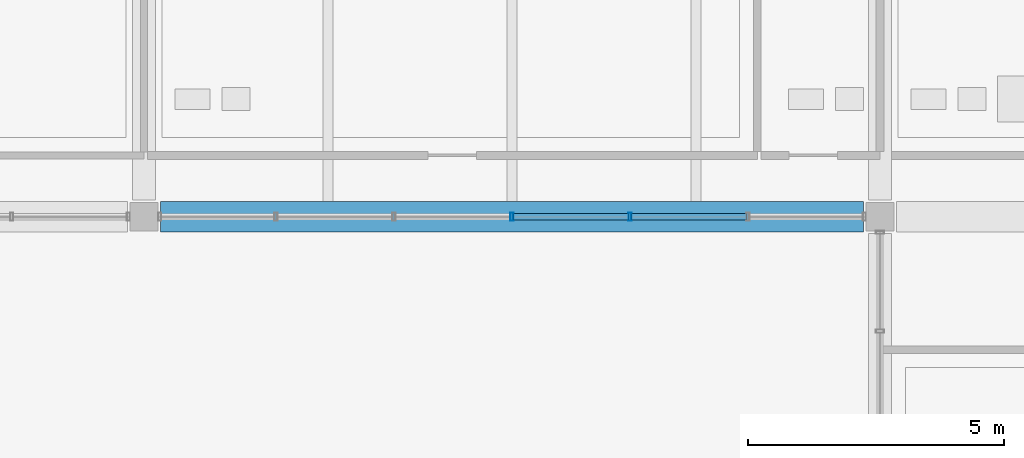
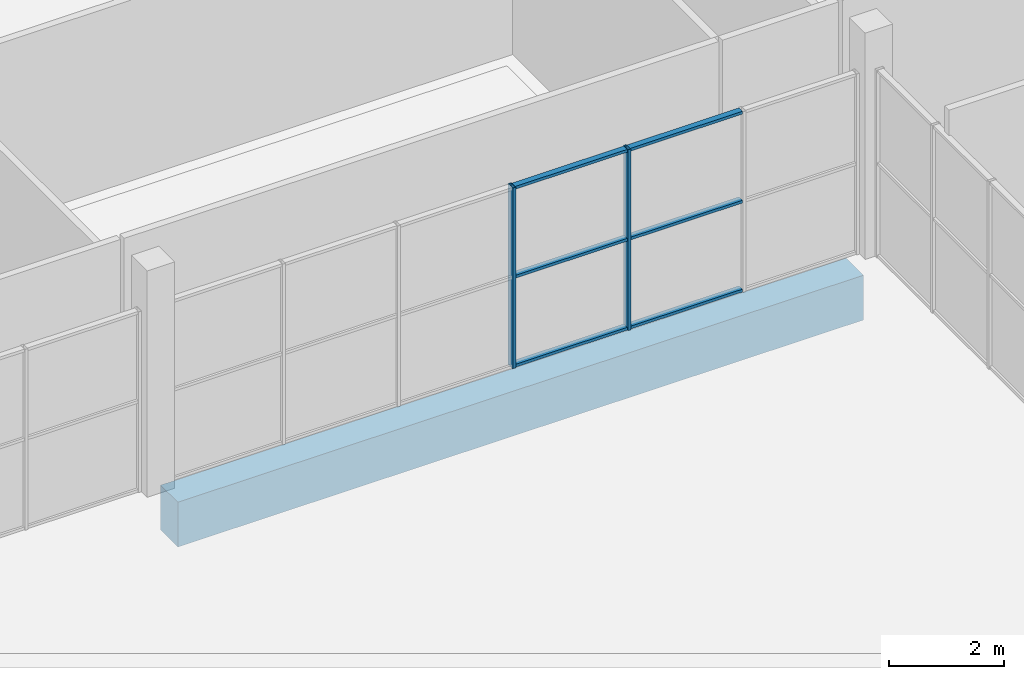
# One storey, part 26 of 130: 8 members, 1 beam, 1 element without a shape of its own.
"""IFC4 building model written with IfcOpenShell, lengths in metres."""

from ifc_helpers import new_model, si_unit, direction, frame, origin, origin_2d, place, context, subcontext, project, spatial, rectangle, hollow_rectangle, extrude, material, material_profile, profile_set, type_object, element, aggregate, save


model = new_model("IFC4")

# Units and contexts
model_context = context("Model", 3, precision=1e-05, world=origin(), true_north=direction((0.0, 1.0)))
body_context = subcontext(model_context, "Body", "Model", "MODEL_VIEW")
ifc_project = project(units=[si_unit("LENGTHUNIT", "METRE"), si_unit("AREAUNIT", "SQUARE_METRE"), si_unit("VOLUMEUNIT", "CUBIC_METRE"), si_unit("PLANEANGLEUNIT", "RADIAN"), si_unit("MASSUNIT", "GRAM", prefix="KILO"), si_unit("THERMODYNAMICTEMPERATUREUNIT", "KELVIN")], contexts=[model_context])

# Site, building, storey
site_placement = place(None, origin())
site = spatial("IfcSite", under=ifc_project, at=site_placement, CompositionType="ELEMENT")
building_placement = place(site_placement, origin())
building = spatial("IfcBuilding", under=site, at=building_placement, Name="Nduvali Passage Aquatics Centre", CompositionType="ELEMENT")
storey_placement = place(building_placement, origin())
storey = spatial("IfcBuildingStorey", under=building, at=storey_placement, Name="L00", CompositionType="ELEMENT", Elevation=0.0)

# Curtain wall, members
ifc_material_1 = material(Name="Aluminium EN AW-6063 T6", Category="aluminium")
curtain_wall_type = type_object("IfcCurtainWallType", Name="ENV-CW-COUR", PredefinedType="NOTDEFINED", material=ifc_material_1)
curtain_wall_placement = place(storey_placement, origin())
curtain_wall = element("IfcCurtainWall", 1, at=curtain_wall_placement, inside=storey, type_object=curtain_wall_type, Name="L00 Monsoon Courtyard Cloister CW 165", PredefinedType="NOTDEFINED")
ifc_material_profile_1 = material_profile(ifc_material_1, hollow_rectangle(XDim=0.06005859375, YDim=0.159912109375, WallThickness=0.00390625, at=origin_2d()), Name="ALU MULLION 60x160x4")
ifc_profile_set_1 = profile_set([ifc_material_profile_1], Name="Aluminium EN AW-6063 T6")
member_type_1 = type_object("IfcMemberType", Name="ENV-MEM-MUL60", PredefinedType="MULLION", material=ifc_profile_set_1)
member_1_placement = place(storey_placement, frame((90.0, 16.800048828125, 0.0), z_axis=(0.0, 0.0, 1.0), x_axis=(1.0, 0.0, 0.0)))
member_1 = element("IfcMember", 2, at=member_1_placement, type_object=member_type_1, Name="Monsoon Courtyard Cloister CW Mullion 4", PredefinedType="MULLION", context=body_context, shape_type="SweptSolid", body=[
    extrude(hollow_rectangle(XDim=0.06005859375, YDim=0.159912109375, WallThickness=0.00390625, at=origin_2d()), origin(), (0.0, 0.0, 1.0), 3.83251953125),
])
member_2_placement = place(storey_placement, frame((92.308349609375, 16.800048828125, 0.0), z_axis=(0.0, 0.0, 1.0), x_axis=(1.0, 0.0, 0.0)))
member_2 = element("IfcMember", 3, at=member_2_placement, type_object=member_type_1, Name="Monsoon Courtyard Cloister CW Mullion 5", PredefinedType="MULLION", context=body_context, shape_type="SweptSolid", body=[
    extrude(hollow_rectangle(XDim=0.06005859375, YDim=0.159912109375, WallThickness=0.00390625, at=origin_2d()), origin(), (0.0, 0.0, 1.0), 3.83251953125),
])
ifc_material_profile_2 = material_profile(ifc_material_1, hollow_rectangle(XDim=0.1201171875, YDim=0.06005859375, WallThickness=0.00390625, at=origin_2d()), Name="ALU TRANSOM 120x60x4")
ifc_profile_set_2 = profile_set([ifc_material_profile_2], Name="Aluminium EN AW-6063 T6")
member_type_2 = type_object("IfcMemberType", Name="ENV-MEM-TRN60", PredefinedType="USERDEFINED", material=ifc_profile_set_2)
member_3_placement = place(storey_placement, frame((90.030029296875, 16.800048828125, 0.030029296875), z_axis=(1.0, 0.0, 0.0), x_axis=(0.0, 1.0, 0.0)))
member_3 = element("IfcMember", 4, at=member_3_placement, type_object=member_type_2, Name="Monsoon Courtyard Cloister CW Transom B4-R0", ObjectType="TRANSOM", PredefinedType="USERDEFINED", context=body_context, shape_type="SweptSolid", body=[
    extrude(hollow_rectangle(XDim=0.1201171875, YDim=0.06005859375, WallThickness=0.00390625, at=origin_2d()), origin(), (0.0, 0.0, 1.0), 2.248291015625),
])
member_4_placement = place(storey_placement, frame((90.030029296875, 16.800048828125, 1.916259765625), z_axis=(1.0, 0.0, 0.0), x_axis=(0.0, 1.0, 0.0)))
member_4 = element("IfcMember", 5, at=member_4_placement, type_object=member_type_2, Name="Monsoon Courtyard Cloister CW Transom B4-R1", ObjectType="TRANSOM", PredefinedType="USERDEFINED", context=body_context, shape_type="SweptSolid", body=[
    extrude(hollow_rectangle(XDim=0.1201171875, YDim=0.06005859375, WallThickness=0.00390625, at=origin_2d()), origin(), (0.0, 0.0, 1.0), 2.248291015625),
])
member_5_placement = place(storey_placement, frame((90.030029296875, 16.800048828125, 3.802490234375), z_axis=(1.0, 0.0, 0.0), x_axis=(0.0, 1.0, 0.0)))
member_5 = element("IfcMember", 6, at=member_5_placement, type_object=member_type_2, Name="Monsoon Courtyard Cloister CW Transom B4-R2", ObjectType="TRANSOM", PredefinedType="USERDEFINED", context=body_context, shape_type="SweptSolid", body=[
    extrude(hollow_rectangle(XDim=0.1201171875, YDim=0.06005859375, WallThickness=0.00390625, at=origin_2d()), origin(), (0.0, 0.0, 1.0), 2.248291015625),
])
member_6_placement = place(storey_placement, frame((92.33837890625, 16.800048828125, 0.030029296875), z_axis=(1.0, 0.0, 0.0), x_axis=(0.0, 1.0, 0.0)))
member_6 = element("IfcMember", 7, at=member_6_placement, type_object=member_type_2, Name="Monsoon Courtyard Cloister CW Transom B5-R0", ObjectType="TRANSOM", PredefinedType="USERDEFINED", context=body_context, shape_type="SweptSolid", body=[
    extrude(hollow_rectangle(XDim=0.1201171875, YDim=0.06005859375, WallThickness=0.00390625, at=origin_2d()), origin(), (0.0, 0.0, 1.0), 2.248291015625),
])
member_7_placement = place(storey_placement, frame((92.33837890625, 16.800048828125, 1.916259765625), z_axis=(1.0, 0.0, 0.0), x_axis=(0.0, 1.0, 0.0)))
member_7 = element("IfcMember", 8, at=member_7_placement, type_object=member_type_2, Name="Monsoon Courtyard Cloister CW Transom B5-R1", ObjectType="TRANSOM", PredefinedType="USERDEFINED", context=body_context, shape_type="SweptSolid", body=[
    extrude(hollow_rectangle(XDim=0.1201171875, YDim=0.06005859375, WallThickness=0.00390625, at=origin_2d()), origin(), (0.0, 0.0, 1.0), 2.248291015625),
])
member_8_placement = place(storey_placement, frame((92.33837890625, 16.800048828125, 3.802490234375), z_axis=(1.0, 0.0, 0.0), x_axis=(0.0, 1.0, 0.0)))
member_8 = element("IfcMember", 9, at=member_8_placement, type_object=member_type_2, Name="Monsoon Courtyard Cloister CW Transom B5-R2", ObjectType="TRANSOM", PredefinedType="USERDEFINED", context=body_context, shape_type="SweptSolid", body=[
    extrude(hollow_rectangle(XDim=0.1201171875, YDim=0.06005859375, WallThickness=0.00390625, at=origin_2d()), origin(), (0.0, 0.0, 1.0), 2.248291015625),
])
aggregate(curtain_wall, [member_1, member_2, member_3, member_4, member_5, member_6, member_7, member_8])

# Beam
ifc_material_2 = material(Name="Concrete C40/50", Category="concrete")
ifc_material_profile_3 = material_profile(ifc_material_2, rectangle(XDim=0.60009765625, YDim=0.949951171875, at=origin_2d()), Name="RC 600x950")
ifc_profile_set_3 = profile_set([ifc_material_profile_3], Name="Concrete C40/50")
beam_type = type_object("IfcBeamType", Name="STR-BM-RC6095", PredefinedType="BEAM", material=ifc_profile_set_3)
beam_placement = place(storey_placement, frame((83.125, 16.800048828125, -0.77490234375), z_axis=(1.0, 0.0, 0.0), x_axis=(0.0, 1.0, 0.0)))
element("IfcBeam", 10, at=beam_placement, inside=storey, type_object=beam_type, Name="L00 Primary X-Girder B1-0012", PredefinedType="BEAM", context=body_context, shape_type="SweptSolid", body=[
    extrude(rectangle(XDim=0.60009765625, YDim=0.949951171875, at=origin_2d()), origin(), (0.0, 0.0, 1.0), 13.75),
])

save(model, "model.ifc")
